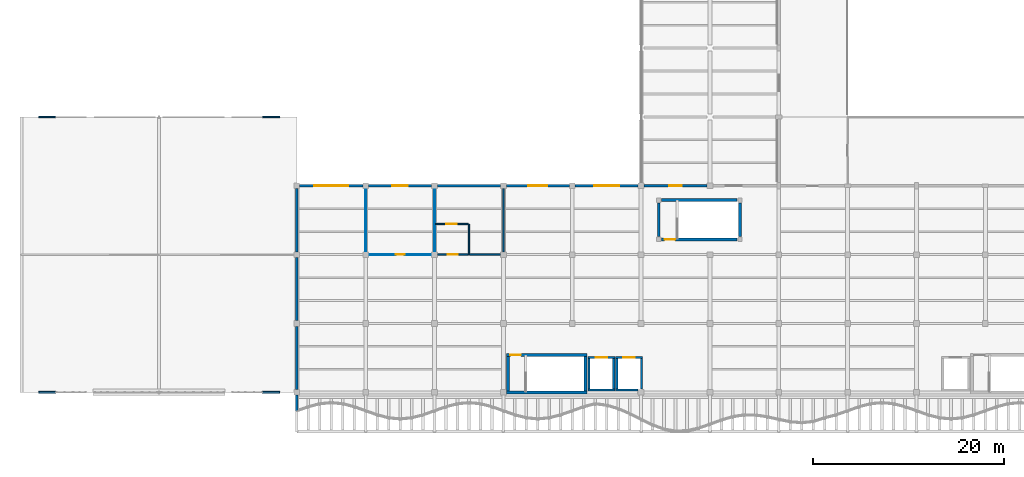
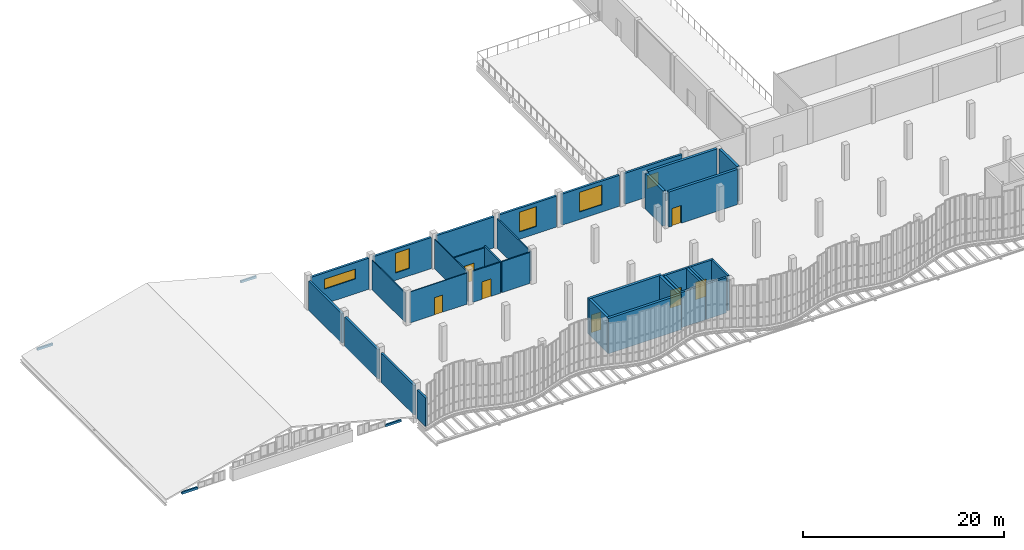
# One storey, part 66 of 76: 38 walls, 7 doors, 5 windows, 12 openings.
"""IFC4 building model written with IfcOpenShell, lengths in metres."""

from ifc_helpers import new_model, si_unit, direction, frame, frame_2d, origin, place, context, subcontext, project, spatial, rectangle, extrude, material, layer, layer_set, type_object, element, fill, save


model = new_model("IFC4")

# Units and contexts
model_context = context("Model", 3, precision=1e-05, world=origin(), true_north=direction((0.0, 1.0)))
body_context = subcontext(model_context, "Body", "Model", "MODEL_VIEW")
ifc_project = project(units=[si_unit("LENGTHUNIT", "METRE"), si_unit("AREAUNIT", "SQUARE_METRE"), si_unit("VOLUMEUNIT", "CUBIC_METRE"), si_unit("PLANEANGLEUNIT", "RADIAN"), si_unit("MASSUNIT", "GRAM", prefix="KILO"), si_unit("THERMODYNAMICTEMPERATUREUNIT", "KELVIN"), si_unit("POWERUNIT", "WATT")], contexts=[model_context])

# Site, building, storey
site_placement = place(None, origin())
site = spatial("IfcSite", under=ifc_project, at=site_placement, CompositionType="ELEMENT")
building_placement = place(site_placement, origin())
building = spatial("IfcBuilding", under=site, at=building_placement, Name="Kaldorven Railside Theatre", CompositionType="ELEMENT")
storey_placement = place(building_placement, frame((0.0, 0.0, 14.39990234375)))
storey = spatial("IfcBuildingStorey", under=building, at=storey_placement, Name="L03", CompositionType="ELEMENT", Elevation=14.39990234375)

# Walls
ifc_material_1 = material(Name="Precast concrete C40/50", Category="concrete")
ifc_layer_1 = layer(ifc_material_1, 0.25, Name="Precast concrete C40/50")
ifc_layer_set_1 = layer_set([ifc_layer_1], Name="Precast concrete C40/50")
wall_type_1 = type_object("IfcWallType", Name="WL-EW06", PredefinedType="SOLIDWALL", material=ifc_layer_set_1)
for number, where, z_axis, x_axis, name in (
    (1, (36.800048828125, 19.5, 0.0), (0.0, 0.0, 1.0), (0.0, 1.0, 0.0), "V5 L03 Exterior Wall EW-0226"),
    (2, (36.800048828125, 26.699951171875, 0.0), (0.0, 0.0, 1.0), (0.0, 1.0, 0.0), "V5 L03 Exterior Wall EW-0227"),
    (3, (36.800048828125, 33.89990234375, 0.0), (0.0, 0.0, 1.0), (0.0, 1.0, 0.0), "V5 L03 Exterior Wall EW-0228"),
):
    element("IfcWall", number, at=place(storey_placement, frame(where, z_axis=z_axis, x_axis=x_axis)), inside=storey, type_object=wall_type_1, Name=name, PredefinedType="SOLIDWALL", context=body_context, shape_type="SweptSolid", body=[
        extrude(rectangle(XDim=6.60009765625, YDim=0.25, at=frame_2d((3.300048828125, 0.0))), origin(), (0.0, 0.0, 1.0), 3.5751953125),
    ])

# Wall, opening, window
wall_1_placement = place(storey_placement, frame((37.10009765625, 40.800048828125, 0.0), z_axis=(0.0, 0.0, 1.0), x_axis=(1.0, 0.0, 0.0)))
wall_1 = element("IfcWall", 4, at=wall_1_placement, inside=storey, type_object=wall_type_1, Name="V5N3 L03 Exterior Wall EW-0232", PredefinedType="SOLIDWALL", context=body_context, shape_type="SweptSolid", body=[
    extrude(rectangle(XDim=6.599853515625, YDim=0.25, at=frame_2d((3.2998046875, 0.0))), origin(), (0.0, 0.0, 1.0), 3.775146484375),
])
opening_1_placement = place(wall_1_placement, frame((1.5, 0.0, 1.800048828125)))
opening_1 = element("IfcOpeningElement", 5, at=opening_1_placement, cuts=wall_1, Name="Opening WN-042", PredefinedType="OPENING", context=body_context, shape_type="SweptSolid", body=[
    extrude(rectangle(XDim=3.60009765625, YDim=1.199951171875, at=frame_2d((1.800048828125, 0.60009765625))), frame((0.0, 0.135009765625, 0.0), z_axis=(0.0, -1.0, 0.0), x_axis=(1.0, 0.0, 0.0)), (0.0, 0.0, 1.0), 0.27001953125),
])
ifc_material_2 = material(Name="Low-E laminated solar-control glass", Category="glass")
window_type_1 = type_object("IfcWindowType", Name="WN-EW17", PartitioningType="SINGLE_PANEL", PredefinedType="WINDOW", material=ifc_material_2)
window_1_placement = place(opening_1_placement, origin())
window_1 = element("IfcWindow", 6, at=window_1_placement, inside=storey, type_object=window_type_1, Name="Shaded Acoustic Exterior Window WN-042", OverallHeight=1.199951171875, OverallWidth=3.60009765625, PartitioningType="SINGLE_PANEL", PredefinedType="WINDOW", context=body_context, shape_type="SweptSolid", body=[
    extrude(rectangle(XDim=3.60009765625, YDim=1.199951171875, at=frame_2d((1.800048828125, 0.60009765625))), frame((0.0, 0.030029296875, 0.0), z_axis=(0.0, -1.0, 0.0), x_axis=(1.0, 0.0, 0.0)), (0.0, 0.0, 1.0), 0.06005859375),
])
fill(opening_1, window_1)

wall_2_placement = place(storey_placement, frame((44.300048828125, 40.800048828125, 0.0), z_axis=(0.0, 0.0, 1.0), x_axis=(1.0, 0.0, 0.0)))
wall_2 = element("IfcWall", 7, at=wall_2_placement, inside=storey, type_object=wall_type_1, Name="V5N3 L03 Exterior Wall EW-0233", PredefinedType="SOLIDWALL", context=body_context, shape_type="SweptSolid", body=[
    extrude(rectangle(XDim=6.599853515625, YDim=0.25, at=frame_2d((3.2998046875, 0.0))), origin(), (0.0, 0.0, 1.0), 3.775146484375),
])
opening_2_placement = place(wall_2_placement, frame((2.5, 0.0, 0.89990234375)))
opening_2 = element("IfcOpeningElement", 8, at=opening_2_placement, cuts=wall_2, Name="Opening WN-043", PredefinedType="OPENING", context=body_context, shape_type="SweptSolid", body=[
    extrude(rectangle(XDim=1.60009765625, YDim=2.39990234375, at=frame_2d((0.800048828125, 1.199951171875))), frame((0.0, 0.135009765625, 0.0), z_axis=(0.0, -1.0, 0.0), x_axis=(1.0, 0.0, 0.0)), (0.0, 0.0, 1.0), 0.27001953125),
])
window_type_2 = type_object("IfcWindowType", Name="WN-EW18", PartitioningType="SINGLE_PANEL", PredefinedType="WINDOW", material=ifc_material_2)
window_2_placement = place(opening_2_placement, origin())
window_2 = element("IfcWindow", 9, at=window_2_placement, inside=storey, type_object=window_type_2, Name="Shaded Acoustic Exterior Window WN-043", OverallHeight=2.39990234375, OverallWidth=1.60009765625, PartitioningType="SINGLE_PANEL", PredefinedType="WINDOW", context=body_context, shape_type="SweptSolid", body=[
    extrude(rectangle(XDim=1.60009765625, YDim=2.39990234375, at=frame_2d((0.800048828125, 1.199951171875))), frame((0.0, 0.030029296875, 0.0), z_axis=(0.0, -1.0, 0.0), x_axis=(1.0, 0.0, 0.0)), (0.0, 0.0, 1.0), 0.06005859375),
])
fill(opening_2, window_2)

# Wall
wall_3_placement = place(storey_placement, frame((51.5, 40.800048828125, 0.0), z_axis=(0.0, 0.0, 1.0), x_axis=(1.0, 0.0, 0.0)))
element("IfcWall", 10, at=wall_3_placement, inside=storey, type_object=wall_type_1, Name="V5N3 L03 Exterior Wall EW-0234", PredefinedType="SOLIDWALL", context=body_context, shape_type="SweptSolid", body=[
    extrude(rectangle(XDim=6.60009765625, YDim=0.25, at=frame_2d((3.300048828125, 0.0))), origin(), (0.0, 0.0, 1.0), 3.775146484375),
])

# Wall, opening, window
wall_4_placement = place(storey_placement, frame((58.699951171875, 40.800048828125, 0.0), z_axis=(0.0, 0.0, 1.0), x_axis=(1.0, 0.0, 0.0)))
wall_4 = element("IfcWall", 11, at=wall_4_placement, inside=storey, type_object=wall_type_1, Name="V5N3 L03 Exterior Wall EW-0235", PredefinedType="SOLIDWALL", context=body_context, shape_type="SweptSolid", body=[
    extrude(rectangle(XDim=6.60009765625, YDim=0.25, at=frame_2d((3.300048828125, 0.0))), origin(), (0.0, 0.0, 1.0), 3.775146484375),
])
opening_3_placement = place(wall_4_placement, frame((2.300048828125, 0.0, 0.89990234375)))
opening_3 = element("IfcOpeningElement", 12, at=opening_3_placement, cuts=wall_4, Name="Opening WN-044", PredefinedType="OPENING", context=body_context, shape_type="SweptSolid", body=[
    extrude(rectangle(XDim=2.0, YDim=2.39990234375, at=frame_2d((1.0, 1.199951171875))), frame((0.0, 0.135009765625, 0.0), z_axis=(0.0, -1.0, 0.0), x_axis=(1.0, 0.0, 0.0)), (0.0, 0.0, 1.0), 0.27001953125),
])
window_type_3 = type_object("IfcWindowType", Name="WN-EW19", PartitioningType="SINGLE_PANEL", PredefinedType="WINDOW", material=ifc_material_2)
window_3_placement = place(opening_3_placement, origin())
window_3 = element("IfcWindow", 13, at=window_3_placement, inside=storey, type_object=window_type_3, Name="Shaded Acoustic Exterior Window WN-044", OverallHeight=2.39990234375, OverallWidth=2.0, PartitioningType="SINGLE_PANEL", PredefinedType="WINDOW", context=body_context, shape_type="SweptSolid", body=[
    extrude(rectangle(XDim=2.0, YDim=2.39990234375, at=frame_2d((1.0, 1.199951171875))), frame((0.0, 0.030029296875, 0.0), z_axis=(0.0, -1.0, 0.0), x_axis=(1.0, 0.0, 0.0)), (0.0, 0.0, 1.0), 0.06005859375),
])
fill(opening_3, window_3)

wall_5_placement = place(storey_placement, frame((65.89990234375, 40.800048828125, 0.0), z_axis=(0.0, 0.0, 1.0), x_axis=(1.0, 0.0, 0.0)))
wall_5 = element("IfcWall", 14, at=wall_5_placement, inside=storey, type_object=wall_type_1, Name="V5N3 L03 Exterior Wall EW-0236", PredefinedType="SOLIDWALL", context=body_context, shape_type="SweptSolid", body=[
    extrude(rectangle(XDim=6.60009765625, YDim=0.25, at=frame_2d((3.300048828125, 0.0))), origin(), (0.0, 0.0, 1.0), 3.775146484375),
])
opening_4_placement = place(wall_5_placement, frame((2.0, 0.0, 0.89990234375)))
opening_4 = element("IfcOpeningElement", 15, at=opening_4_placement, cuts=wall_5, Name="Opening WN-045", PredefinedType="OPENING", context=body_context, shape_type="SweptSolid", body=[
    extrude(rectangle(XDim=2.60009765625, YDim=2.39990234375, at=frame_2d((1.300048828125, 1.199951171875))), frame((0.0, 0.135009765625, 0.0), z_axis=(0.0, -1.0, 0.0), x_axis=(1.0, 0.0, 0.0)), (0.0, 0.0, 1.0), 0.27001953125),
])
window_type_4 = type_object("IfcWindowType", Name="WN-EW20", PartitioningType="SINGLE_PANEL", PredefinedType="WINDOW", material=ifc_material_2)
window_4_placement = place(opening_4_placement, origin())
window_4 = element("IfcWindow", 16, at=window_4_placement, inside=storey, type_object=window_type_4, Name="Shaded Acoustic Exterior Window WN-045", OverallHeight=2.39990234375, OverallWidth=2.60009765625, PartitioningType="SINGLE_PANEL", PredefinedType="WINDOW", context=body_context, shape_type="SweptSolid", body=[
    extrude(rectangle(XDim=2.60009765625, YDim=2.39990234375, at=frame_2d((1.300048828125, 1.199951171875))), frame((0.0, 0.030029296875, 0.0), z_axis=(0.0, -1.0, 0.0), x_axis=(1.0, 0.0, 0.0)), (0.0, 0.0, 1.0), 0.06005859375),
])
fill(opening_4, window_4)

wall_6_placement = place(storey_placement, frame((73.10009765625, 40.800048828125, 0.0), z_axis=(0.0, 0.0, 1.0), x_axis=(1.0, 0.0, 0.0)))
wall_6 = element("IfcWall", 17, at=wall_6_placement, inside=storey, type_object=wall_type_1, Name="V5N3 L03 Exterior Wall EW-0237", PredefinedType="SOLIDWALL", context=body_context, shape_type="SweptSolid", body=[
    extrude(rectangle(XDim=6.599853515625, YDim=0.25, at=frame_2d((3.2998046875, 0.0))), origin(), (0.0, 0.0, 1.0), 3.775146484375),
])
opening_5_placement = place(wall_6_placement, frame((2.64990234375, 0.0, 0.89990234375)))
opening_5 = element("IfcOpeningElement", 18, at=opening_5_placement, cuts=wall_6, Name="Opening WN-046", PredefinedType="OPENING", context=body_context, shape_type="SweptSolid", body=[
    extrude(rectangle(XDim=1.300048828125, YDim=1.60009765625, at=frame_2d((0.64990234375, 0.800048828125))), frame((0.0, 0.135009765625, 0.0), z_axis=(0.0, -1.0, 0.0), x_axis=(1.0, 0.0, 0.0)), (0.0, 0.0, 1.0), 0.27001953125),
])
window_type_5 = type_object("IfcWindowType", Name="WN-EW21", PartitioningType="SINGLE_PANEL", PredefinedType="WINDOW", material=ifc_material_2)
window_5_placement = place(opening_5_placement, origin())
window_5 = element("IfcWindow", 19, at=window_5_placement, inside=storey, type_object=window_type_5, Name="Shaded Acoustic Exterior Window WN-046", OverallHeight=1.60009765625, OverallWidth=1.300048828125, PartitioningType="SINGLE_PANEL", PredefinedType="WINDOW", context=body_context, shape_type="SweptSolid", body=[
    extrude(rectangle(XDim=1.300048828125, YDim=1.60009765625, at=frame_2d((0.64990234375, 0.800048828125))), frame((0.0, 0.030029296875, 0.0), z_axis=(0.0, -1.0, 0.0), x_axis=(1.0, 0.0, 0.0)), (0.0, 0.0, 1.0), 0.06005859375),
])
fill(opening_5, window_5)

# Walls
wall_7_placement = place(storey_placement, frame((36.800048828125, 17.25, 0.0), z_axis=(0.0, 0.0, 1.0), x_axis=(0.0, 1.0, 0.0)))
element("IfcWall", 20, at=wall_7_placement, inside=storey, type_object=wall_type_1, Name="L03 Sinusoidal Foyer W End Return Wall EW-0474", PredefinedType="SOLIDWALL", context=body_context, shape_type="SweptSolid", body=[
    extrude(rectangle(XDim=1.64990234375, YDim=0.25, at=frame_2d((0.824951171875, 0.0))), origin(), (0.0, 0.0, 1.0), 3.43505859375),
])
ifc_material_3 = material(Name="Architectural concrete C40/50", Category="concrete")
ifc_layer_2 = layer(ifc_material_3, 0.179931640625, Name="Architectural concrete C40/50")
ifc_layer_set_2 = layer_set([ifc_layer_2], Name="Architectural concrete C40/50")
wall_type_2 = type_object("IfcWallType", Name="WL-EW08", PredefinedType="PARAPET", material=ifc_layer_set_2)
for number, where, z_axis, x_axis, name in (
    (21, (9.800048828125, 19.199951171875, 0.02001953125), (0.0, 0.0, 1.0), (1.0, 0.0, 0.0), "Studio South Gable Clerestory Eave Spandrel 111"),
    (22, (33.199951171875, 19.199951171875, 0.02001953125), (0.0, 0.0, 1.0), (1.0, 0.0, 0.0), "Studio South Gable Clerestory Eave Spandrel 124"),
    (23, (9.800048828125, 48.0, 0.02001953125), (0.0, 0.0, 1.0), (1.0, 0.0, 0.0), "Studio North Gable Clerestory Eave Spandrel 125"),
    (24, (33.199951171875, 48.0, 0.02001953125), (0.0, 0.0, 1.0), (1.0, 0.0, 0.0), "Studio North Gable Clerestory Eave Spandrel 138"),
):
    element("IfcWall", number, at=place(storey_placement, frame(where, z_axis=z_axis, x_axis=x_axis)), inside=storey, type_object=wall_type_2, Name=name, PredefinedType="PARAPET", context=body_context, shape_type="SweptSolid", body=[
        extrude(rectangle(XDim=1.800048828125, YDim=0.179931640625, at=frame_2d((0.89990234375, 0.0))), origin(), (0.0, 0.0, 1.0), 0.27001953125),
    ])
ifc_material_4 = material(Name="Acoustic gypsum board")
ifc_layer_3 = layer(ifc_material_4, 0.14990234375, Name="Acoustic gypsum board")
ifc_layer_set_3 = layer_set([ifc_layer_3], Name="Acoustic gypsum board")
wall_type_3 = type_object("IfcWallType", Name="WL-IW-AC1", PredefinedType="PARTITIONING", material=ifc_layer_set_3)
wall_8_placement = place(storey_placement, frame((54.800048828125, 33.60009765625, 0.0), z_axis=(0.0, 0.0, 1.0), x_axis=(0.0, 1.0, 0.0)))
element("IfcWall", 25, at=wall_8_placement, inside=storey, type_object=wall_type_3, Name="L03 Interior Wall IW-0633", PredefinedType="PARTITIONING", context=body_context, shape_type="SweptSolid", body=[
    extrude(rectangle(XDim=3.199951171875, YDim=0.14990234375, at=frame_2d((1.60009765625, 0.0))), origin(), (0.0, 0.0, 1.0), 3.775146484375),
])

# Wall, opening, door
wall_9_placement = place(storey_placement, frame((54.722900390625, 36.800048828125, 0.0), z_axis=(0.0, 0.0, 1.0), x_axis=(-1.0, 0.0, 0.0)))
wall_9 = element("IfcWall", 26, at=wall_9_placement, inside=storey, type_object=wall_type_3, Name="L03 Interior Wall IW-0634", PredefinedType="PARTITIONING", context=body_context, shape_type="SweptSolid", body=[
    extrude(rectangle(XDim=3.470947265625, YDim=0.14990234375, at=frame_2d((1.7353515625, 0.0))), origin(), (0.0, 0.0, 1.0), 3.5751953125),
])
opening_6_placement = place(wall_9_placement, frame((1.185546875, 0.0, 0.0)))
opening_6 = element("IfcOpeningElement", 27, at=opening_6_placement, cuts=wall_9, Name="Opening ID-0146", PredefinedType="OPENING", context=body_context, shape_type="SweptSolid", body=[
    extrude(rectangle(XDim=1.10009765625, YDim=2.14990234375, at=frame_2d((0.550048828125, 1.074951171875))), frame((0.0, 0.0849609375, 0.0), z_axis=(0.0, -1.0, 0.0), x_axis=(1.0, 0.0, 0.0)), (0.0, 0.0, 1.0), 0.169921875),
])
ifc_material_5 = material(Name="Acoustic hardwood timber", Category="wood")
door_type_1 = type_object("IfcDoorType", Name="DR-ID-FD60", OperationType="NOTDEFINED", PredefinedType="DOOR", material=ifc_material_5)
door_1_placement = place(opening_6_placement, origin())
door_1 = element("IfcDoor", 28, at=door_1_placement, inside=storey, type_object=door_type_1, Name="Sky Lounge Cleaner's Store Entry Door", OperationType="SINGLE_SWING_RIGHT", OverallHeight=2.14990234375, OverallWidth=1.10009765625, PredefinedType="DOOR", context=body_context, shape_type="SweptSolid", body=[
    extrude(rectangle(XDim=1.10009765625, YDim=2.14990234375, at=frame_2d((0.550048828125, 1.074951171875))), frame((0.0, 0.02490234375, 0.0), z_axis=(0.0, -1.0, 0.0), x_axis=(1.0, 0.0, 0.0)), (0.0, 0.0, 1.0), 0.050048828125),
])
fill(opening_6, door_1)

wall_10_placement = place(storey_placement, frame((51.5, 33.60009765625, 0.0), z_axis=(0.0, 0.0, 1.0), x_axis=(1.0, 0.0, 0.0)))
wall_10 = element("IfcWall", 29, at=wall_10_placement, inside=storey, type_object=wall_type_3, Name="L03 Interior Wall IW-0635", PredefinedType="PARTITIONING", context=body_context, shape_type="SweptSolid", body=[
    extrude(rectangle(XDim=3.222900390625, YDim=0.14990234375, at=frame_2d((1.611328125, 0.0))), origin(), (0.0, 0.0, 1.0), 3.775146484375),
])
opening_7_placement = place(wall_10_placement, frame((1.08642578125, 0.0, 0.0)))
opening_7 = element("IfcOpeningElement", 30, at=opening_7_placement, cuts=wall_10, Name="Opening ID-0145", PredefinedType="OPENING", context=body_context, shape_type="SweptSolid", body=[
    extrude(rectangle(XDim=1.050048828125, YDim=2.1201171875, at=frame_2d((0.52490234375, 1.06005859375))), frame((0.0, 0.0849609375, 0.0), z_axis=(0.0, -1.0, 0.0), x_axis=(1.0, 0.0, 0.0)), (0.0, 0.0, 1.0), 0.169921875),
])
door_type_2 = type_object("IfcDoorType", Name="DR-ID-AWC1", OperationType="NOTDEFINED", PredefinedType="DOOR", material=ifc_material_5)
door_2_placement = place(opening_7_placement, origin())
door_2 = element("IfcDoor", 31, at=door_2_placement, inside=storey, type_object=door_type_2, Name="Sky Lounge Accessible WC Entry Door", OperationType="SINGLE_SWING_LEFT", OverallHeight=2.1201171875, OverallWidth=1.050048828125, PredefinedType="DOOR", context=body_context, shape_type="SweptSolid", body=[
    extrude(rectangle(XDim=1.050048828125, YDim=2.1201171875, at=frame_2d((0.52490234375, 1.06005859375))), frame((0.0, 0.02490234375, 0.0), z_axis=(0.0, -1.0, 0.0), x_axis=(1.0, 0.0, 0.0)), (0.0, 0.0, 1.0), 0.050048828125),
])
fill(opening_7, door_2)

# Walls
ifc_layer_4 = layer(ifc_material_4, 0.139892578125, Name="Acoustic gypsum board")
ifc_layer_set_4 = layer_set([ifc_layer_4], Name="Acoustic gypsum board")
wall_type_4 = type_object("IfcWallType", Name="WL-IW-AC2", PredefinedType="PARTITIONING", material=ifc_layer_set_4)
wall_11_placement = place(storey_placement, frame((58.39990234375, 40.5, 0.0), z_axis=(0.0, 0.0, 1.0), x_axis=(0.0, -1.0, 0.0)))
element("IfcWall", 32, at=wall_11_placement, inside=storey, type_object=wall_type_4, Name="L03 Interior Wall IW-0636", PredefinedType="PARTITIONING", context=body_context, shape_type="SweptSolid", body=[
    extrude(rectangle(XDim=6.60009765625, YDim=0.139892578125, at=frame_2d((3.300048828125, 0.0))), origin(), (0.0, 0.0, 1.0), 3.5751953125),
])
wall_12_placement = place(storey_placement, frame((58.10009765625, 33.60009765625, 0.0), z_axis=(0.0, 0.0, 1.0), x_axis=(-1.0, 0.0, 0.0)))
element("IfcWall", 33, at=wall_12_placement, inside=storey, type_object=wall_type_4, Name="L03 Interior Wall IW-0637", PredefinedType="PARTITIONING", context=body_context, shape_type="SweptSolid", body=[
    extrude(rectangle(XDim=3.22314453125, YDim=0.139892578125, at=frame_2d((1.611572265625, 0.0))), origin(), (0.0, 0.0, 1.0), 3.775146484375),
])
ifc_material_6 = material(Name="Concrete C40/50", Category="concrete")
ifc_layer_5 = layer(ifc_material_6, 0.300048828125, Name="Concrete C40/50")
ifc_layer_set_5 = layer_set([ifc_layer_5], Name="Concrete C40/50")
wall_type_5 = type_object("IfcWallType", Name="WL-IW-CORE", PredefinedType="SHEAR", material=ifc_layer_set_5)
wall_13_placement = place(storey_placement, frame((67.14990234375, 19.199951171875, 0.0), z_axis=(0.0, 0.0, 1.0), x_axis=(-1.0, 0.0, 0.0)))
element("IfcWall", 34, at=wall_13_placement, inside=storey, type_object=wall_type_5, Name="L03 Core Wall CW-0045", PredefinedType="SHEAR", context=body_context, shape_type="SweptSolid", body=[
    extrude(rectangle(XDim=8.39990234375, YDim=0.300048828125, at=frame_2d((4.199951171875, 0.0))), origin(), (0.0, 0.0, 1.0), 4.280029296875),
])
wall_14_placement = place(storey_placement, frame((58.89990234375, 19.35205078125, 0.0), z_axis=(0.0, 0.0, 1.0), x_axis=(0.0, 1.0, 0.0)))
element("IfcWall", 35, at=wall_14_placement, inside=storey, type_object=wall_type_5, Name="L03 Core Wall CW-0046", PredefinedType="SHEAR", context=body_context, shape_type="SweptSolid", body=[
    extrude(rectangle(XDim=3.597900390625, YDim=0.300048828125, at=frame_2d((1.798828125, 0.0))), origin(), (0.0, 0.0, 1.0), 4.280029296875),
])

# Wall, opening, door
wall_15_placement = place(storey_placement, frame((58.75, 23.10009765625, 0.0), z_axis=(0.0, 0.0, 1.0), x_axis=(1.0, 0.0, 0.0)))
wall_15 = element("IfcWall", 36, at=wall_15_placement, inside=storey, type_object=wall_type_5, Name="L03 Core Wall CW-0047", PredefinedType="SHEAR", context=body_context, shape_type="SweptSolid", body=[
    extrude(rectangle(XDim=8.39990234375, YDim=0.300048828125, at=frame_2d((4.199951171875, 0.0))), origin(), (0.0, 0.0, 1.0), 4.280029296875),
])
opening_8_placement = place(wall_15_placement, frame((0.3701171875, 0.0, 0.0)))
opening_8 = element("IfcOpeningElement", 37, at=opening_8_placement, cuts=wall_15, Name="Opening ID-0012", PredefinedType="OPENING", context=body_context, shape_type="SweptSolid", body=[
    extrude(rectangle(XDim=1.10009765625, YDim=2.14990234375, at=frame_2d((0.550048828125, 1.074951171875))), frame((0.0, 0.16015625, 0.0), z_axis=(0.0, -1.0, 0.0), x_axis=(1.0, 0.0, 0.0)), (0.0, 0.0, 1.0), 0.320068359375),
])
door_3_placement = place(opening_8_placement, origin())
door_3 = element("IfcDoor", 38, at=door_3_placement, inside=storey, type_object=door_type_1, Name="Stair ST-03 Fire Door", OperationType="SINGLE_SWING_RIGHT", OverallHeight=2.14990234375, OverallWidth=1.10009765625, PredefinedType="DOOR", context=body_context, shape_type="SweptSolid", body=[
    extrude(rectangle(XDim=1.10009765625, YDim=2.14990234375, at=frame_2d((0.550048828125, 1.074951171875))), frame((0.0, 0.02490234375, 0.0), z_axis=(0.0, -1.0, 0.0), x_axis=(1.0, 0.0, 0.0)), (0.0, 0.0, 1.0), 0.050048828125),
])
fill(opening_8, door_3)

# Wall
wall_16_placement = place(storey_placement, frame((67.0, 22.947998046875, 0.0), z_axis=(0.0, 0.0, 1.0), x_axis=(0.0, -1.0, 0.0)))
element("IfcWall", 39, at=wall_16_placement, inside=storey, type_object=wall_type_5, Name="L03 Core Wall CW-0048", PredefinedType="SHEAR", context=body_context, shape_type="SweptSolid", body=[
    extrude(rectangle(XDim=3.595947265625, YDim=0.300048828125, at=frame_2d((1.7978515625, 0.0))), origin(), (0.0, 0.0, 1.0), 4.280029296875),
])

# Wall, opening, door
wall_17_placement = place(storey_placement, frame((82.85009765625, 35.199951171875, 0.0), z_axis=(0.0, 0.0, 1.0), x_axis=(-1.0, 0.0, 0.0)))
wall_17 = element("IfcWall", 40, at=wall_17_placement, inside=storey, type_object=wall_type_5, Name="L03 Core Wall CW-0301", PredefinedType="SHEAR", context=body_context, shape_type="SweptSolid", body=[
    extrude(rectangle(XDim=7.900146484375, YDim=0.300048828125, at=frame_2d((3.9501953125, 0.0))), origin(), (0.0, 0.0, 1.0), 4.280029296875),
])
opening_9_placement = place(wall_17_placement, frame((6.47998046875, 0.0, 0.0)))
opening_9 = element("IfcOpeningElement", 41, at=opening_9_placement, cuts=wall_17, Name="Opening ID-0049", PredefinedType="OPENING", context=body_context, shape_type="SweptSolid", body=[
    extrude(rectangle(XDim=1.10009765625, YDim=2.14990234375, at=frame_2d((0.550048828125, 1.074951171875))), frame((0.0, 0.16015625, 0.0), z_axis=(0.0, -1.0, 0.0), x_axis=(1.0, 0.0, 0.0)), (0.0, 0.0, 1.0), 0.320068359375),
])
door_4_placement = place(opening_9_placement, origin())
door_4 = element("IfcDoor", 42, at=door_4_placement, inside=storey, type_object=door_type_1, Name="Stair ST-07 Fire Door", OperationType="SINGLE_SWING_LEFT", OverallHeight=2.14990234375, OverallWidth=1.10009765625, PredefinedType="DOOR", context=body_context, shape_type="SweptSolid", body=[
    extrude(rectangle(XDim=1.10009765625, YDim=2.14990234375, at=frame_2d((0.550048828125, 1.074951171875))), frame((0.0, 0.02490234375, 0.0), z_axis=(0.0, -1.0, 0.0), x_axis=(1.0, 0.0, 0.0)), (0.0, 0.0, 1.0), 0.050048828125),
])
fill(opening_9, door_4)

# Walls
wall_18_placement = place(storey_placement, frame((74.64990234375, 35.5, 0.0), z_axis=(0.0, 0.0, 1.0), x_axis=(0.0, 1.0, 0.0)))
element("IfcWall", 43, at=wall_18_placement, inside=storey, type_object=wall_type_5, Name="L03 Core Wall CW-0302", PredefinedType="SHEAR", context=body_context, shape_type="SweptSolid", body=[
    extrude(rectangle(XDim=3.5, YDim=0.300048828125, at=frame_2d((1.75, 0.0))), origin(), (0.0, 0.0, 1.0), 4.280029296875),
])
wall_19_placement = place(storey_placement, frame((74.949951171875, 39.300048828125, 0.0), z_axis=(0.0, 0.0, 1.0), x_axis=(1.0, 0.0, 0.0)))
element("IfcWall", 44, at=wall_19_placement, inside=storey, type_object=wall_type_5, Name="L03 Core Wall CW-0303", PredefinedType="SHEAR", context=body_context, shape_type="SweptSolid", body=[
    extrude(rectangle(XDim=7.900146484375, YDim=0.300048828125, at=frame_2d((3.9501953125, 0.0))), origin(), (0.0, 0.0, 1.0), 4.280029296875),
])
wall_20_placement = place(storey_placement, frame((83.14990234375, 39.0, 0.0), z_axis=(0.0, 0.0, 1.0), x_axis=(0.0, -1.0, 0.0)))
element("IfcWall", 45, at=wall_20_placement, inside=storey, type_object=wall_type_5, Name="L03 Core Wall CW-0304", PredefinedType="SHEAR", context=body_context, shape_type="SweptSolid", body=[
    extrude(rectangle(XDim=3.5, YDim=0.300048828125, at=frame_2d((1.75, 0.0))), origin(), (0.0, 0.0, 1.0), 4.280029296875),
])
ifc_material_7 = material(Name="Fire-rated acoustic gypsum board")
ifc_layer_6 = layer(ifc_material_7, 0.10009765625, Name="Fire-rated acoustic gypsum board")
ifc_layer_set_6 = layer_set([ifc_layer_6], Name="Fire-rated acoustic gypsum board")
wall_type_6 = type_object("IfcWallType", Name="WL-IW-PT2", PredefinedType="PARTITIONING", material=ifc_layer_set_6)
for number, where, z_axis, x_axis, name in (
    (46, (51.199951171875, 33.89990234375, 0.0), (0.0, 0.0, 1.0), (0.0, 1.0, 0.0), "L03 Interior Wall IW-0630"),
    (47, (44.0, 40.5, 0.0), (0.0, 0.0, 1.0), (0.0, -1.0, 0.0), "L03 Interior Wall IW-0631"),
):
    element("IfcWall", number, at=place(storey_placement, frame(where, z_axis=z_axis, x_axis=x_axis)), inside=storey, type_object=wall_type_6, Name=name, PredefinedType="PARTITIONING", context=body_context, shape_type="SweptSolid", body=[
        extrude(rectangle(XDim=6.60009765625, YDim=0.10009765625, at=frame_2d((3.300048828125, 0.0))), origin(), (0.0, 0.0, 1.0), 3.5751953125),
    ])

# Wall, opening, door
wall_21_placement = place(storey_placement, frame((44.300048828125, 33.60009765625, 0.0), z_axis=(0.0, 0.0, 1.0), x_axis=(1.0, 0.0, 0.0)))
wall_21 = element("IfcWall", 48, at=wall_21_placement, inside=storey, type_object=wall_type_6, Name="L03 Interior Wall IW-0632", PredefinedType="PARTITIONING", context=body_context, shape_type="SweptSolid", body=[
    extrude(rectangle(XDim=6.599853515625, YDim=0.10009765625, at=frame_2d((3.2998046875, 0.0))), origin(), (0.0, 0.0, 1.0), 3.775146484375),
])
opening_10_placement = place(wall_21_placement, frame((2.840087890625, 0.0, 0.0)))
opening_10 = element("IfcOpeningElement", 49, at=opening_10_placement, cuts=wall_21, Name="Opening ID-0144", PredefinedType="OPENING", context=body_context, shape_type="SweptSolid", body=[
    extrude(rectangle(XDim=0.919921875, YDim=2.10009765625, at=frame_2d((0.4599609375, 1.050048828125))), frame((0.0, 0.06005859375, 0.0), z_axis=(0.0, -1.0, 0.0), x_axis=(1.0, 0.0, 0.0)), (0.0, 0.0, 1.0), 0.1201171875),
])
door_type_3 = type_object("IfcDoorType", Name="DR-ID-WC1", OperationType="NOTDEFINED", PredefinedType="DOOR", material=ifc_material_5)
door_5_placement = place(opening_10_placement, origin())
door_5 = element("IfcDoor", 50, at=door_5_placement, inside=storey, type_object=door_type_3, Name="Sky Lounge Public WC Entry Door", OperationType="SINGLE_SWING_RIGHT", OverallHeight=2.10009765625, OverallWidth=0.919921875, PredefinedType="DOOR", context=body_context, shape_type="SweptSolid", body=[
    extrude(rectangle(XDim=0.919921875, YDim=2.10009765625, at=frame_2d((0.4599609375, 1.050048828125))), frame((0.0, 0.02490234375, 0.0), z_axis=(0.0, -1.0, 0.0), x_axis=(1.0, 0.0, 0.0)), (0.0, 0.0, 1.0), 0.050048828125),
])
fill(opening_10, door_5)

# Walls
ifc_layer_7 = layer(ifc_material_6, 0.239990234375, Name="Concrete C40/50")
ifc_layer_set_7 = layer_set([ifc_layer_7], Name="Concrete C40/50")
wall_type_7 = type_object("IfcWallType", Name="WL-IW-SHAFT", PredefinedType="SHEAR", material=ifc_layer_set_7)
wall_22_placement = place(storey_placement, frame((70.070068359375, 19.449951171875, 0.0), z_axis=(0.0, 0.0, 1.0), x_axis=(-1.0, 0.0, 0.0)))
element("IfcWall", 51, at=wall_22_placement, inside=storey, type_object=wall_type_7, Name="L03 Interior Wall SW-0065", PredefinedType="SHEAR", context=body_context, shape_type="SweptSolid", body=[
    extrude(rectangle(XDim=2.840087890625, YDim=0.239990234375, at=frame_2d((1.419921875, 0.0))), origin(), (0.0, 0.0, 1.0), 4.280029296875),
])
wall_23_placement = place(storey_placement, frame((67.35009765625, 19.572021484375, 0.0), z_axis=(0.0, 0.0, 1.0), x_axis=(0.0, 1.0, 0.0)))
element("IfcWall", 52, at=wall_23_placement, inside=storey, type_object=wall_type_7, Name="L03 Interior Wall SW-0066", PredefinedType="SHEAR", context=body_context, shape_type="SweptSolid", body=[
    extrude(rectangle(XDim=3.157958984375, YDim=0.239990234375, at=frame_2d((1.5791015625, 0.0))), origin(), (0.0, 0.0, 1.0), 4.280029296875),
])

# Wall, opening, door
wall_24_placement = place(storey_placement, frame((67.22998046875, 22.85009765625, 0.0), z_axis=(0.0, 0.0, 1.0), x_axis=(1.0, 0.0, 0.0)))
wall_24 = element("IfcWall", 53, at=wall_24_placement, inside=storey, type_object=wall_type_7, Name="L03 Interior Wall SW-0067", PredefinedType="SHEAR", context=body_context, shape_type="SweptSolid", body=[
    extrude(rectangle(XDim=2.840087890625, YDim=0.239990234375, at=frame_2d((1.419921875, 0.0))), origin(), (0.0, 0.0, 1.0), 4.280029296875),
])
opening_11_placement = place(wall_24_placement, frame((0.820068359375, 0.0, 0.0)))
opening_11 = element("IfcOpeningElement", 54, at=opening_11_placement, cuts=wall_24, Name="Opening LD-005", PredefinedType="OPENING", context=body_context, shape_type="SweptSolid", body=[
    extrude(rectangle(XDim=1.199951171875, YDim=2.14990234375, at=frame_2d((0.60009765625, 1.074951171875))), frame((0.0, 0.1298828125, 0.0), z_axis=(0.0, -1.0, 0.0), x_axis=(1.0, 0.0, 0.0)), (0.0, 0.0, 1.0), 0.260009765625),
])
ifc_material_8 = material(Name="Powder-coated hollow-metal steel", Category="steel")
door_type_4 = type_object("IfcDoorType", Name="DR-LD-PASS", OperationType="NOTDEFINED", PredefinedType="DOOR", material=ifc_material_8)
door_6_placement = place(opening_11_placement, origin())
door_6 = element("IfcDoor", 55, at=door_6_placement, inside=storey, type_object=door_type_4, Name="Lift LF-P1 Sliding Landing Door", OperationType="DOUBLE_DOOR_SLIDING", OverallHeight=2.14990234375, OverallWidth=1.199951171875, PredefinedType="DOOR", context=body_context, shape_type="SweptSolid", body=[
    extrude(rectangle(XDim=1.199951171875, YDim=2.14990234375, at=frame_2d((0.60009765625, 1.074951171875))), frame((0.0, 0.02490234375, 0.0), z_axis=(0.0, -1.0, 0.0), x_axis=(1.0, 0.0, 0.0)), (0.0, 0.0, 1.0), 0.050048828125),
])
fill(opening_11, door_6)

# Walls
wall_25_placement = place(storey_placement, frame((69.949951171875, 22.72802734375, 0.0), z_axis=(0.0, 0.0, 1.0), x_axis=(0.0, -1.0, 0.0)))
element("IfcWall", 56, at=wall_25_placement, inside=storey, type_object=wall_type_7, Name="L03 Interior Wall SW-0068", PredefinedType="SHEAR", context=body_context, shape_type="SweptSolid", body=[
    extrude(rectangle(XDim=3.156005859375, YDim=0.239990234375, at=frame_2d((1.578125, 0.0))), origin(), (0.0, 0.0, 1.0), 4.280029296875),
])
wall_26_placement = place(storey_placement, frame((72.5, 19.449951171875, 0.0), z_axis=(0.0, 0.0, 1.0), x_axis=(-1.0, 0.0, 0.0)))
element("IfcWall", 57, at=wall_26_placement, inside=storey, type_object=wall_type_7, Name="L03 Interior Wall SW-0085", PredefinedType="SHEAR", context=body_context, shape_type="SweptSolid", body=[
    extrude(rectangle(XDim=2.3701171875, YDim=0.239990234375, at=frame_2d((1.18505859375, 0.0))), origin(), (0.0, 0.0, 1.0), 4.280029296875),
])
wall_27_placement = place(storey_placement, frame((70.25, 19.572021484375, 0.0), z_axis=(0.0, 0.0, 1.0), x_axis=(0.0, 1.0, 0.0)))
element("IfcWall", 58, at=wall_27_placement, inside=storey, type_object=wall_type_7, Name="L03 Interior Wall SW-0086", PredefinedType="SHEAR", context=body_context, shape_type="SweptSolid", body=[
    extrude(rectangle(XDim=3.157958984375, YDim=0.239990234375, at=frame_2d((1.5791015625, 0.0))), origin(), (0.0, 0.0, 1.0), 4.280029296875),
])

# Wall, opening, door
wall_28_placement = place(storey_placement, frame((70.1298828125, 22.85009765625, 0.0), z_axis=(0.0, 0.0, 1.0), x_axis=(1.0, 0.0, 0.0)))
wall_28 = element("IfcWall", 59, at=wall_28_placement, inside=storey, type_object=wall_type_7, Name="L03 Interior Wall SW-0087", PredefinedType="SHEAR", context=body_context, shape_type="SweptSolid", body=[
    extrude(rectangle(XDim=2.840087890625, YDim=0.239990234375, at=frame_2d((1.419921875, 0.0))), origin(), (0.0, 0.0, 1.0), 4.280029296875),
])
opening_12_placement = place(wall_28_placement, frame((0.820068359375, 0.0, 0.0)))
opening_12 = element("IfcOpeningElement", 60, at=opening_12_placement, cuts=wall_28, Name="Opening LD-010", PredefinedType="OPENING", context=body_context, shape_type="SweptSolid", body=[
    extrude(rectangle(XDim=1.199951171875, YDim=2.14990234375, at=frame_2d((0.60009765625, 1.074951171875))), frame((0.0, 0.1298828125, 0.0), z_axis=(0.0, -1.0, 0.0), x_axis=(1.0, 0.0, 0.0)), (0.0, 0.0, 1.0), 0.260009765625),
])
door_7_placement = place(opening_12_placement, origin())
door_7 = element("IfcDoor", 61, at=door_7_placement, inside=storey, type_object=door_type_4, Name="Lift LF-P2 Sliding Landing Door", OperationType="DOUBLE_DOOR_SLIDING", OverallHeight=2.14990234375, OverallWidth=1.199951171875, PredefinedType="DOOR", context=body_context, shape_type="SweptSolid", body=[
    extrude(rectangle(XDim=1.199951171875, YDim=2.14990234375, at=frame_2d((0.60009765625, 1.074951171875))), frame((0.0, 0.02490234375, 0.0), z_axis=(0.0, -1.0, 0.0), x_axis=(1.0, 0.0, 0.0)), (0.0, 0.0, 1.0), 0.050048828125),
])
fill(opening_12, door_7)

# Wall
wall_29_placement = place(storey_placement, frame((72.85009765625, 22.72802734375, 0.0), z_axis=(0.0, 0.0, 1.0), x_axis=(0.0, -1.0, 0.0)))
element("IfcWall", 62, at=wall_29_placement, inside=storey, type_object=wall_type_7, Name="L03 Interior Wall SW-0088", PredefinedType="SHEAR", context=body_context, shape_type="SweptSolid", body=[
    extrude(rectangle(XDim=3.157958984375, YDim=0.239990234375, at=frame_2d((1.5791015625, 0.0))), origin(), (0.0, 0.0, 1.0), 4.280029296875),
])

save(model, "model.ifc")
